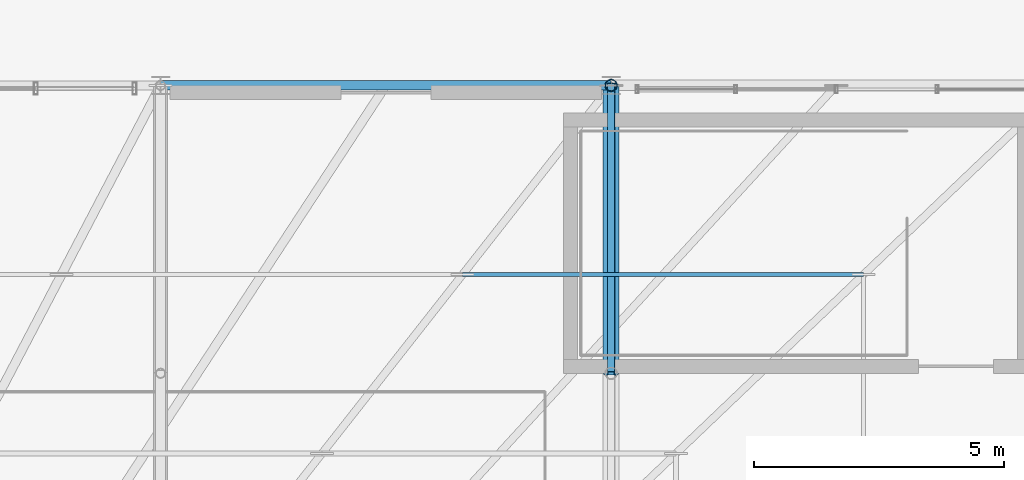
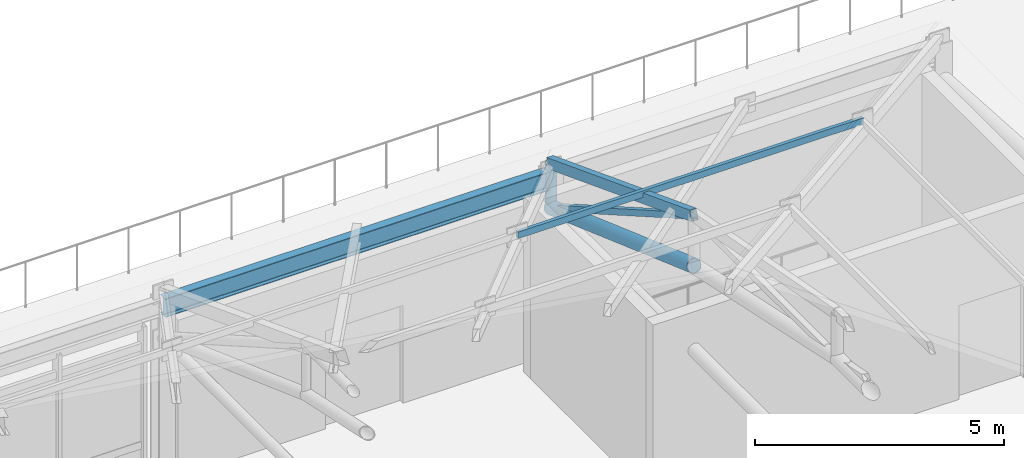
# One storey, part 67 of 168: 4 members, 2 beams.
"""IFC4 building model written with IfcOpenShell, lengths in metres."""

from ifc_helpers import new_model, si_unit, direction, frame, origin, origin_2d, place, context, subcontext, project, spatial, hollow_rectangle, hollow_circle, i_section, extrude, material, material_profile, profile_set, type_object, element, save


model = new_model("IFC4")

# Units and contexts
model_context = context("Model", 3, precision=1e-05, world=origin(), true_north=direction((0.0, 1.0)))
body_context = subcontext(model_context, "Body", "Model", "MODEL_VIEW")
ifc_project = project(units=[si_unit("LENGTHUNIT", "METRE"), si_unit("AREAUNIT", "SQUARE_METRE"), si_unit("VOLUMEUNIT", "CUBIC_METRE"), si_unit("PLANEANGLEUNIT", "RADIAN"), si_unit("MASSUNIT", "GRAM", prefix="KILO"), si_unit("THERMODYNAMICTEMPERATUREUNIT", "KELVIN"), si_unit("POWERUNIT", "WATT")], contexts=[model_context])

# Site, building, storey
site_placement = place(None, origin())
site = spatial("IfcSite", under=ifc_project, at=site_placement, CompositionType="ELEMENT")
building_placement = place(site_placement, origin())
building = spatial("IfcBuilding", under=site, at=building_placement, Name="Tepalcoro Natatorium and Aquatics Centre", CompositionType="ELEMENT")
storey_placement = place(building_placement, frame((0.0, 0.0, 10.199951171875)))
storey = spatial("IfcBuildingStorey", under=building, at=storey_placement, Name="L02", CompositionType="ELEMENT", Elevation=10.199951171875)

# Beam
ifc_material_1 = material(Name="Terracotta Painted Hollow Steel ASTM A500 Grade C (Fy 345 MPa)", Category="masonry")
ifc_material_profile_1 = material_profile(ifc_material_1, hollow_rectangle(XDim=0.14990234375, YDim=0.25, WallThickness=0.011962890625, at=origin_2d()), Name="HSS250X150X12")
ifc_profile_set_1 = profile_set([ifc_material_profile_1], Name="Terracotta Painted Hollow Steel ASTM A500 Grade C (Fy 345 MPa)")
beam_type_1 = type_object("IfcBeamType", Name="AC_HSS250x150x12", PredefinedType="USERDEFINED", material=ifc_profile_set_1)
beam_1_placement = place(storey_placement, frame((116.0, 53.25, 6.671142578125), z_axis=(0.0, 0.934186419385, -0.356785276935), x_axis=(-1.0, 0.0, 0.0)))
element("IfcBeam", 1, at=beam_1_placement, inside=storey, type_object=beam_type_1, Name="V1 Arched Truss Top Chord 8", ObjectType="ARCH CHORD", PredefinedType="USERDEFINED", context=body_context, shape_type="SweptSolid", body=[
    extrude(hollow_rectangle(XDim=0.14990234375, YDim=0.25, WallThickness=0.011962890625, at=origin_2d()), origin(), (0.0, 0.0, 1.0), 6.155029296875),
])

# Members
ifc_material_profile_2 = material_profile(ifc_material_1, hollow_circle(Radius=0.162109375, WallThickness=0.013916015625, at=origin_2d()), Name="CHS324X14")
ifc_profile_set_2 = profile_set([ifc_material_profile_2], Name="Terracotta Painted Hollow Steel ASTM A500 Grade C (Fy 345 MPa)")
member_type_1 = type_object("IfcMemberType", Name="MB_CH_CHS324x14", PredefinedType="CHORD", material=ifc_profile_set_2)
member_1_placement = place(storey_placement, frame((116.0, 53.25, 5.42822265625), z_axis=(0.0, 0.941760003632, -0.336285734993), x_axis=(-1.0, 0.0, 0.0)))
element("IfcMember", 2, at=member_1_placement, inside=storey, type_object=member_type_1, Name="V1 Arched Truss Bottom Chord 8", PredefinedType="CHORD", context=body_context, shape_type="SweptSolid", body=[
    extrude(hollow_circle(Radius=0.162109375, WallThickness=0.013916015625, at=origin_2d()), origin(), (0.0, 0.0, 1.0), 6.10546875),
])
ifc_material_2 = material(Name="Hollow Steel ASTM A500 Grade C (Fy 345 MPa)", Category="steel")
ifc_material_profile_3 = material_profile(ifc_material_2, hollow_rectangle(XDim=0.080078125, YDim=0.159912109375, WallThickness=0.008056640625, at=origin_2d()), Name="HSS160X80X8")
ifc_profile_set_3 = profile_set([ifc_material_profile_3], Name="Hollow Steel ASTM A500 Grade C (Fy 345 MPa)")
member_type_2 = type_object("IfcMemberType", Name="MB_PR_HSS160x80x8", PredefinedType="PURLIN", material=ifc_profile_set_3)
member_2_placement = place(storey_placement, frame((113.030029296875, 55.219970703125, 6.03662109375), z_axis=(1.0, 0.0, 0.0), x_axis=(0.0, 1.0, 0.0)))
element("IfcMember", 3, at=member_2_placement, inside=storey, type_object=member_type_2, Name="Pyramid Horizontal Purlin North", PredefinedType="PURLIN", context=body_context, shape_type="SweptSolid", body=[
    extrude(hollow_rectangle(XDim=0.080078125, YDim=0.159912109375, WallThickness=0.008056640625, at=origin_2d()), origin(), (0.0, 0.0, 1.0), 8.010009765625),
])
ifc_material_profile_4 = material_profile(ifc_material_1, hollow_circle(Radius=0.1220703125, WallThickness=0.011962890625, at=origin_2d()), Name="CHS244X12")
ifc_profile_set_4 = profile_set([ifc_material_profile_4], Name="Terracotta Painted Hollow Steel ASTM A500 Grade C (Fy 345 MPa)")
member_type_3 = type_object("IfcMemberType", Name="MB_PS_CHS244x12", PredefinedType="POST", material=ifc_profile_set_4)
member_3_placement = place(storey_placement, frame((116.0, 59.0, 3.375), z_axis=(0.0, 0.0, 1.0), x_axis=(1.0, 0.0, 0.0)))
element("IfcMember", 4, at=member_3_placement, inside=storey, type_object=member_type_3, Name="V1 Arched Truss Vertical Post 8", PredefinedType="POST", context=body_context, shape_type="SweptSolid", body=[
    extrude(hollow_circle(Radius=0.1220703125, WallThickness=0.011962890625, at=origin_2d()), origin(), (0.0, 0.0, 1.0), 1.10009765625),
])
ifc_material_profile_5 = material_profile(ifc_material_2, hollow_rectangle(XDim=0.139892578125, YDim=0.139892578125, WallThickness=0.008056640625, at=origin_2d()), Name="HSS140X140X8")
ifc_profile_set_5 = profile_set([ifc_material_profile_5], Name="Hollow Steel ASTM A500 Grade C (Fy 345 MPa)")
member_type_4 = type_object("IfcMemberType", Name="MB_ST_HSS140x140x8", PredefinedType="STRUT", material=ifc_profile_set_5)
member_4_placement = place(storey_placement, frame((116.0, 53.25, 6.671142578125), z_axis=(0.0, 0.867564547129, -0.497324598794), x_axis=(-1.0, 0.0, 0.0)))
element("IfcMember", 5, at=member_4_placement, inside=storey, type_object=member_type_4, Name="V1 Arched Truss Web Diagonal 8", PredefinedType="STRUT", context=body_context, shape_type="SweptSolid", body=[
    extrude(hollow_rectangle(XDim=0.139892578125, YDim=0.139892578125, WallThickness=0.008056640625, at=origin_2d()), origin(), (0.0, 0.0, 1.0), 6.627685546875),
])

# Beam
ifc_material_3 = material(Name="Steel ASTM A992 Grade 50 (Fy 345 MPa)", Category="steel")
ifc_material_profile_6 = material_profile(ifc_material_3, i_section(OverallWidth=0.19091796875, OverallDepth=0.4599609375, WebThickness=0.010009765625, FlangeThickness=0.01611328125, FilletRadius=0.013916015625, at=origin_2d()), Name="W18X55")
ifc_profile_set_6 = profile_set([ifc_material_profile_6], Name="Steel ASTM A992 Grade 50 (Fy 345 MPa)")
beam_type_2 = type_object("IfcBeamType", Name="SP_W18x55", PredefinedType="SPANDREL", material=ifc_profile_set_6)
beam_2_placement = place(storey_placement, frame((107.0, 59.0, 4.10498046875), z_axis=(1.0, 0.0, 0.0), x_axis=(0.0, 1.0, 0.0)))
element("IfcBeam", 6, at=beam_2_placement, inside=storey, type_object=beam_type_2, Name="V1 L02 Grid Girder X", PredefinedType="SPANDREL", context=body_context, shape_type="SweptSolid", body=[
    extrude(i_section(OverallWidth=0.19091796875, OverallDepth=0.4599609375, WebThickness=0.010009765625, FlangeThickness=0.01611328125, FilletRadius=0.013916015625, at=origin_2d()), origin(), (0.0, 0.0, 1.0), 9.0),
])

save(model, "model.ifc")
